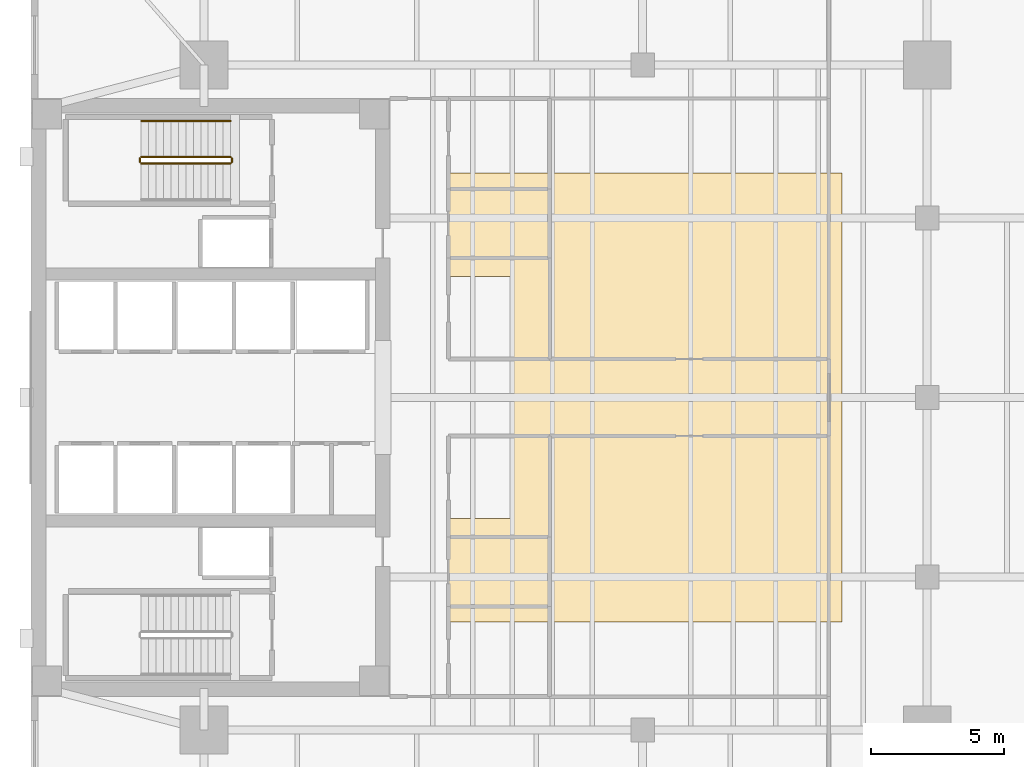
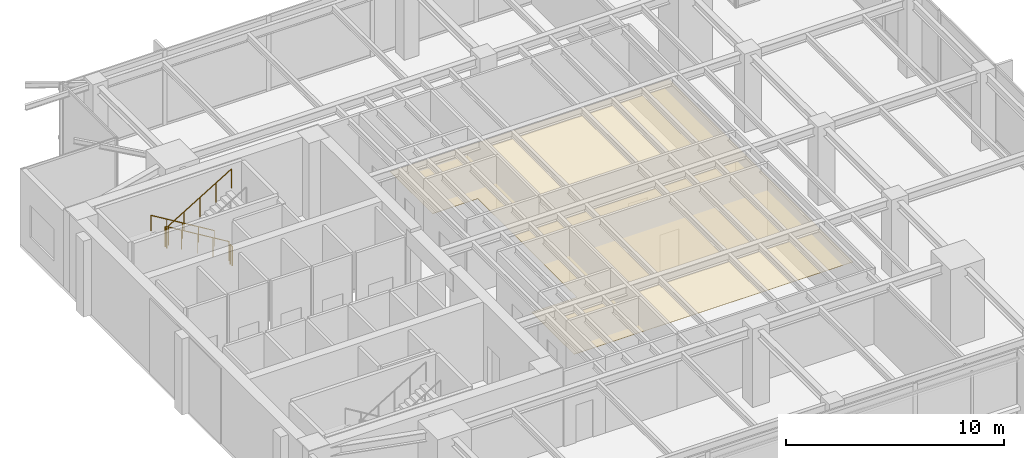
# One storey, part 13 of 14: 5 railings, 1 covering.
"""IFC4 building model written with IfcOpenShell, lengths in metres."""

from ifc_helpers import new_model, si_unit, direction, frame, origin, origin_2d, place, context, subcontext, project, spatial, polyline, circle, outline, extrude, material, layer, layer_set, type_object, element, save


model = new_model("IFC4")

# Units and contexts
model_context = context("Model", 3, precision=1e-05, world=origin(), true_north=direction((0.0, 1.0)))
body_context = subcontext(model_context, "Body", "Model", "MODEL_VIEW")
ifc_project = project(units=[si_unit("LENGTHUNIT", "METRE"), si_unit("AREAUNIT", "SQUARE_METRE"), si_unit("VOLUMEUNIT", "CUBIC_METRE"), si_unit("PLANEANGLEUNIT", "RADIAN"), si_unit("MASSUNIT", "GRAM", prefix="KILO")], contexts=[model_context])

# Site, building, storey
site_placement = place(None, origin())
site = spatial("IfcSite", under=ifc_project, at=site_placement, CompositionType="ELEMENT")
building_placement = place(site_placement, origin())
building = spatial("IfcBuilding", under=site, at=building_placement, Name="Kinhvarn Gate Tower", CompositionType="ELEMENT")
storey_placement = place(building_placement, frame((0.0, 0.0, 183.64990234375)))
storey = spatial("IfcBuildingStorey", under=building, at=storey_placement, Name="L48", CompositionType="ELEMENT", Elevation=183.64990234375)

# Covering
ifc_material_1 = material(Name="Mineral-fibre acoustic ceiling tile")
ifc_layer = layer(ifc_material_1, 0.02001953125)
ifc_layer_set = layer_set([ifc_layer], Name="Mineral-fibre acoustic ceiling tile")
covering_type = type_object("IfcCoveringType", Name="COV-CEIL-20", PredefinedType="CEILING", material=ifc_layer_set)
covering_placement = place(storey_placement, frame((0.0, 0.0, 2.650146484375)))
element("IfcCovering", 1, at=covering_placement, inside=storey, type_object=covering_type, Name="Suspended Acoustic Ceiling Tile (L48-1)", PredefinedType="CEILING", context=body_context, shape_type="SweptSolid", body=[
    extrude(outline(polyline([(35.0, 33.699951171875), (35.0, 16.800048828125), (20.199951171875, 16.800048828125), (20.199951171875, 20.699951171875), (22.60009765625, 20.699951171875), (22.60009765625, 29.800048828125), (20.199951171875, 29.800048828125), (20.199951171875, 33.699951171875), (35.0, 33.699951171875)])), origin(), (0.0, 0.0, 1.0), 0.02001953125),
])

# Railings
ifc_material_2 = material(Name="Steel S355", Category="steel")
railing_type_1 = type_object("IfcRailingType", Name="RL-ST-GRD", PredefinedType="BALUSTRADE", material=ifc_material_2)
railing_1_placement = place(storey_placement, frame((12.0, 34.300048828125, 0.16943359375)))
element("IfcRailing", 2, at=railing_1_placement, inside=storey, type_object=railing_type_1, Name="L48 ST2 stair guard 1", PredefinedType="BALUSTRADE", context=body_context, shape_type="SweptSolid", body=[
    extrude(circle(Radius=0.02392578125, at=origin_2d()), frame((0.0, 0.0, 1.076171875), z_axis=(-0.855836976705, 0.0, 0.517245656632), x_axis=(0.0, -1.0, 0.0)), (0.0, 0.0, 1.0), 3.926025390625),
    extrude(circle(Radius=0.02099609375, at=origin_2d()), origin(), (0.0, 0.0, 1.0), 1.052001953125),
    extrude(circle(Radius=0.02099609375, at=origin_2d()), frame((-0.840087890625, 0.0, 0.5078125)), (0.0, 0.0, 1.0), 1.052001953125),
    extrude(circle(Radius=0.02099609375, at=origin_2d()), frame((-1.68017578125, 0.0, 1.015380859375)), (0.0, 0.0, 1.0), 1.052001953125),
    extrude(circle(Radius=0.02099609375, at=origin_2d()), frame((-2.52001953125, 0.0, 1.52294921875)), (0.0, 0.0, 1.0), 1.052001953125),
    extrude(circle(Radius=0.02099609375, at=origin_2d()), frame((-3.360107421875, 0.0, 2.03076171875)), (0.0, 0.0, 1.0), 1.052001953125),
])
railing_2_placement = place(storey_placement, frame((8.590087890625, 34.25, 2.2001953125)))
element("IfcRailing", 3, at=railing_2_placement, inside=storey, type_object=railing_type_1, Name="L48 ST2 stair guard 2", PredefinedType="BALUSTRADE", context=body_context, shape_type="SweptSolid", body=[
    extrude(circle(Radius=0.02392578125, at=origin_2d()), frame((0.0, 0.0, 1.076171875), z_axis=(0.0, -1.0, 0.0), x_axis=(1.0, 0.0, 0.0)), (0.0, 0.0, 1.0), 0.14990234375),
    extrude(circle(Radius=0.02099609375, at=origin_2d()), origin(), (0.0, 0.0, 1.0), 1.052001953125),
    extrude(circle(Radius=0.02099609375, at=origin_2d()), frame((0.0, -0.14990234375, 0.0)), (0.0, 0.0, 1.0), 1.052001953125),
])
railing_3_placement = place(storey_placement, frame((8.639892578125, 34.050048828125, 2.369384765625)))
element("IfcRailing", 4, at=railing_3_placement, inside=storey, type_object=railing_type_1, Name="L48 ST2 stair guard 3", PredefinedType="BALUSTRADE", context=body_context, shape_type="SweptSolid", body=[
    extrude(circle(Radius=0.02392578125, at=origin_2d()), frame((0.0, 0.0, 1.076171875), z_axis=(0.855836976705, 0.0, 0.517245656632), x_axis=(0.0, 1.0, 0.0)), (0.0, 0.0, 1.0), 3.926025390625),
    extrude(circle(Radius=0.02099609375, at=origin_2d()), origin(), (0.0, 0.0, 1.0), 1.052001953125),
    extrude(circle(Radius=0.02099609375, at=origin_2d()), frame((0.840087890625, 0.0, 0.5078125)), (0.0, 0.0, 1.0), 1.052001953125),
    extrude(circle(Radius=0.02099609375, at=origin_2d()), frame((1.68017578125, 0.0, 1.015380859375)), (0.0, 0.0, 1.0), 1.052001953125),
    extrude(circle(Radius=0.02099609375, at=origin_2d()), frame((2.52001953125, 0.0, 1.52294921875)), (0.0, 0.0, 1.0), 1.052001953125),
    extrude(circle(Radius=0.02099609375, at=origin_2d()), frame((3.360107421875, 0.0, 2.03076171875)), (0.0, 0.0, 1.0), 1.052001953125),
])
railing_4_placement = place(storey_placement, frame((12.050048828125, 34.25, 0.0)))
element("IfcRailing", 5, at=railing_4_placement, inside=storey, type_object=railing_type_1, Name="L48 ST2 stair guard 4", PredefinedType="BALUSTRADE", context=body_context, shape_type="SweptSolid", body=[
    extrude(circle(Radius=0.02392578125, at=origin_2d()), frame((0.0, 0.0, 1.076171875), z_axis=(0.0, -1.0, 0.0), x_axis=(1.0, 0.0, 0.0)), (0.0, 0.0, 1.0), 0.14990234375),
    extrude(circle(Radius=0.02099609375, at=origin_2d()), origin(), (0.0, 0.0, 1.0), 1.052001953125),
    extrude(circle(Radius=0.02099609375, at=origin_2d()), frame((0.0, -0.14990234375, 0.0)), (0.0, 0.0, 1.0), 1.052001953125),
])
railing_type_2 = type_object("IfcRailingType", Name="RL-ST-HND", PredefinedType="HANDRAIL", material=ifc_material_2)
railing_5_placement = place(storey_placement, frame((12.0, 35.64990234375, 0.16943359375)))
element("IfcRailing", 6, at=railing_5_placement, inside=storey, type_object=railing_type_2, Name="L48 ST2 stair handrail 1", PredefinedType="HANDRAIL", context=body_context, shape_type="SweptSolid", body=[
    extrude(circle(Radius=0.02392578125, at=origin_2d()), frame((0.0, 0.0, 0.8759765625), z_axis=(-0.855836976705, 0.0, 0.517245656632), x_axis=(0.0, -1.0, 0.0)), (0.0, 0.0, 1.0), 3.926025390625),
    extrude(circle(Radius=0.02099609375, at=origin_2d()), origin(), (0.0, 0.0, 1.0), 0.851806640625),
    extrude(circle(Radius=0.02099609375, at=origin_2d()), frame((-0.840087890625, 0.0, 0.5078125)), (0.0, 0.0, 1.0), 0.851806640625),
    extrude(circle(Radius=0.02099609375, at=origin_2d()), frame((-1.68017578125, 0.0, 1.015380859375)), (0.0, 0.0, 1.0), 0.851806640625),
    extrude(circle(Radius=0.02099609375, at=origin_2d()), frame((-2.52001953125, 0.0, 1.52294921875)), (0.0, 0.0, 1.0), 0.851806640625),
    extrude(circle(Radius=0.02099609375, at=origin_2d()), frame((-3.360107421875, 0.0, 2.03076171875)), (0.0, 0.0, 1.0), 0.851806640625),
])

save(model, "model.ifc")
